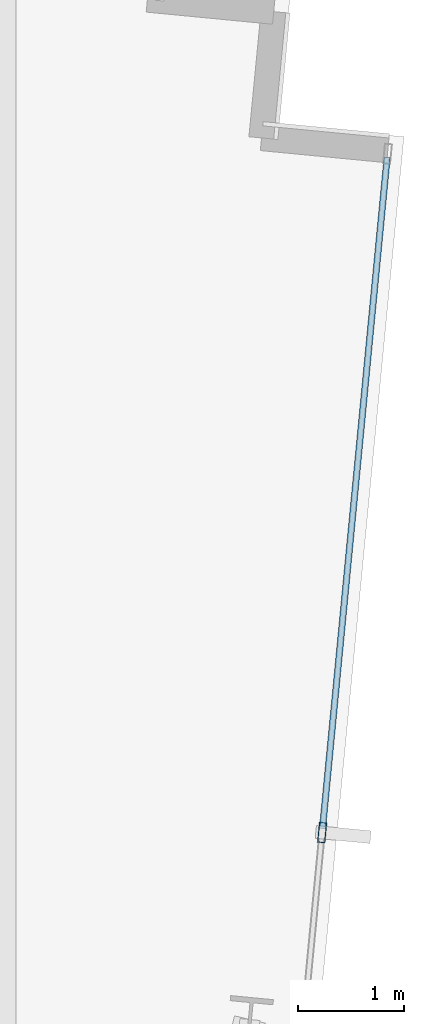
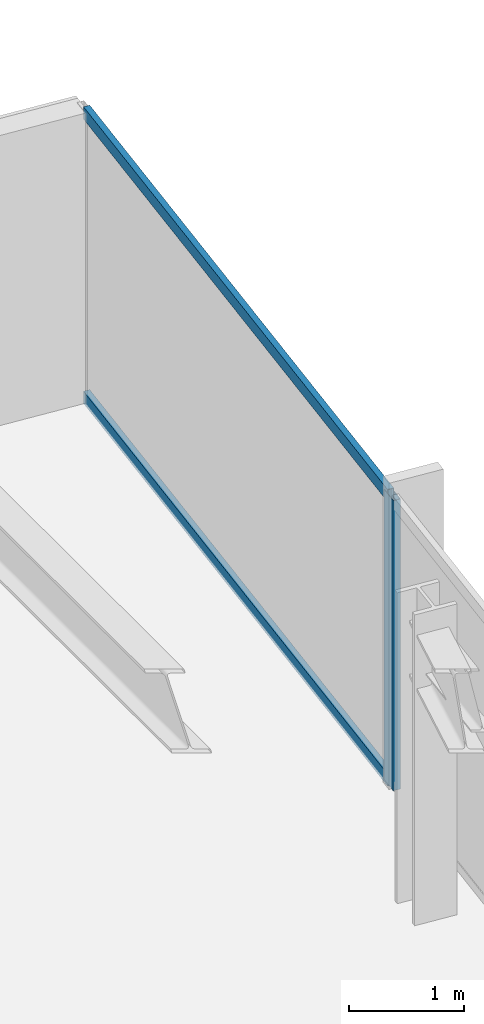
# One storey, part 20 of 37: 3 members, 1 element without a shape of its own.
"""IFC4 building model written with IfcOpenShell, lengths in metres."""

from ifc_helpers import new_model, si_unit, direction, frame, origin, origin_2d, place, context, subcontext, project, spatial, hollow_rectangle, extrude, material, material_profile, profile_set, type_object, element, aggregate, save


model = new_model("IFC4")

# Units and contexts
model_context = context("Model", 3, precision=1e-05, world=origin(), true_north=direction((0.0, 1.0)))
body_context = subcontext(model_context, "Body", "Model", "MODEL_VIEW")
ifc_project = project(units=[si_unit("LENGTHUNIT", "METRE"), si_unit("AREAUNIT", "SQUARE_METRE"), si_unit("VOLUMEUNIT", "CUBIC_METRE"), si_unit("PLANEANGLEUNIT", "RADIAN"), si_unit("MASSUNIT", "GRAM", prefix="KILO")], contexts=[model_context])

# Site, building, storey
site_placement = place(None, origin())
site = spatial("IfcSite", under=ifc_project, at=site_placement, CompositionType="ELEMENT")
building_placement = place(site_placement, origin())
building = spatial("IfcBuilding", under=site, at=building_placement, Name="Yelkora Congress Tower", CompositionType="ELEMENT")
storey_placement = place(building_placement, frame((0.0, 0.0, 158.89990234375)))
storey = spatial("IfcBuildingStorey", under=building, at=storey_placement, Name="L43", CompositionType="ELEMENT", Elevation=158.89990234375)

# Curtain wall, members
ifc_material_1 = material(Name="Anodised aluminium and insulated glass", Category="aluminium")
curtain_wall_type = type_object("IfcCurtainWallType", Name="CW-SYS-B3", PredefinedType="NOTDEFINED", material=ifc_material_1)
curtain_wall_placement = place(storey_placement, origin())
curtain_wall = element("IfcCurtainWall", 1, at=curtain_wall_placement, inside=storey, type_object=curtain_wall_type, Name="L43 Unitised Curtain Wall 15", PredefinedType="NOTDEFINED")
ifc_material_2 = material(Name="Anodised aluminium 6063-T6", Category="aluminium")
ifc_material_profile_1 = material_profile(ifc_material_2, hollow_rectangle(XDim=0.070068359375, YDim=0.18994140625, WallThickness=0.00390625, at=origin_2d()), Name="ALU 70x190x4")
ifc_profile_set_1 = profile_set([ifc_material_profile_1], Name="Anodised aluminium 6063-T6")
member_type_1 = type_object("IfcMemberType", Name="MEM-ML-B3", PredefinedType="MULLION", material=ifc_profile_set_1)
member_1_placement = place(storey_placement, frame((60.646240234375, 36.849853515625, 0.0), z_axis=(0.0, 0.0, 1.0), x_axis=(0.995396565076, -0.095841944023, 0.0)))
member_1 = element("IfcMember", 2, at=member_1_placement, type_object=member_type_1, Name="CW-B3 mullion 2", PredefinedType="MULLION", context=body_context, shape_type="SweptSolid", body=[
    extrude(hollow_rectangle(XDim=0.070068359375, YDim=0.18994140625, WallThickness=0.00390625, at=origin_2d()), origin(), (0.0, 0.0, 1.0), 3.080078125),
])
ifc_material_profile_2 = material_profile(ifc_material_2, hollow_rectangle(XDim=0.06005859375, YDim=0.1298828125, WallThickness=0.00390625, at=origin_2d()), Name="ALU 60x130x4")
ifc_profile_set_2 = profile_set([ifc_material_profile_2], Name="Anodised aluminium 6063-T6")
member_type_2 = type_object("IfcMemberType", Name="MEM-TR-B3", PredefinedType="USERDEFINED", material=ifc_profile_set_2)
member_2_placement = place(storey_placement, frame((61.260986328125, 43.234375, 0.030029296875), z_axis=(-0.095872844558, -0.995393589329, 0.0), x_axis=(0.995393589329, -0.095872844558, 0.0)))
member_2 = element("IfcMember", 3, at=member_2_placement, type_object=member_type_2, Name="CW-B3 transom 1.1", ObjectType="TRANSOM", PredefinedType="USERDEFINED", context=body_context, shape_type="SweptSolid", body=[
    extrude(hollow_rectangle(XDim=0.06005859375, YDim=0.1298828125, WallThickness=0.00390625, at=origin_2d()), origin(), (0.0, 0.0, 1.0), 6.37890625),
])
member_3_placement = place(storey_placement, frame((61.260986328125, 43.234375, 3.050048828125), z_axis=(-0.095872844558, -0.995393589329, 0.0), x_axis=(0.995393589329, -0.095872844558, 0.0)))
member_3 = element("IfcMember", 4, at=member_3_placement, type_object=member_type_2, Name="CW-B3 transom 1.2", ObjectType="TRANSOM", PredefinedType="USERDEFINED", context=body_context, shape_type="SweptSolid", body=[
    extrude(hollow_rectangle(XDim=0.06005859375, YDim=0.1298828125, WallThickness=0.00390625, at=origin_2d()), origin(), (0.0, 0.0, 1.0), 6.37890625),
])
aggregate(curtain_wall, [member_1, member_2, member_3])

save(model, "model.ifc")
